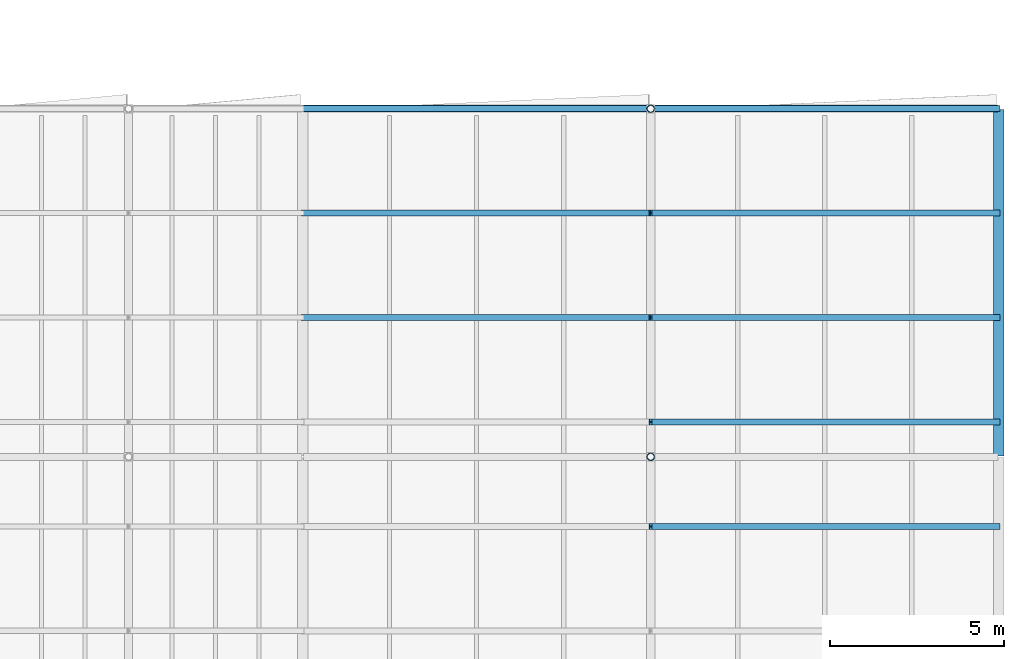
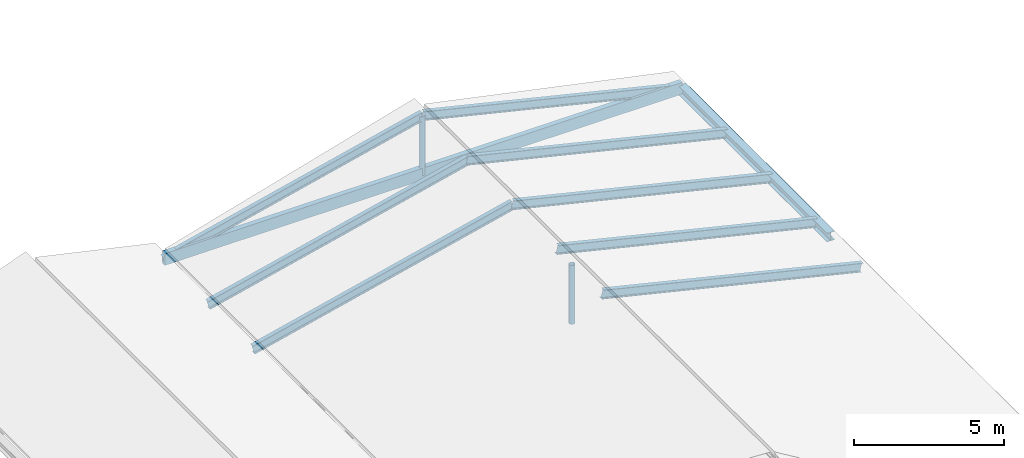
# One storey, part 70 of 90: 10 members, 2 beams.
"""IFC4 building model written with IfcOpenShell, lengths in metres."""

from ifc_helpers import new_model, si_unit, direction, frame, origin, origin_2d, place, context, subcontext, project, spatial, rectangle, hollow_circle, i_section, extrude, material, material_profile, profile_set, type_object, element, save


model = new_model("IFC4")

# Units and contexts
model_context = context("Model", 3, precision=1e-05, world=origin(), true_north=direction((0.0, 1.0)))
body_context = subcontext(model_context, "Body", "Model", "MODEL_VIEW")
ifc_project = project(units=[si_unit("LENGTHUNIT", "METRE"), si_unit("AREAUNIT", "SQUARE_METRE"), si_unit("VOLUMEUNIT", "CUBIC_METRE"), si_unit("PLANEANGLEUNIT", "RADIAN"), si_unit("MASSUNIT", "GRAM", prefix="KILO"), si_unit("THERMODYNAMICTEMPERATUREUNIT", "KELVIN"), si_unit("POWERUNIT", "WATT")], contexts=[model_context])

# Site, building, storey
site_placement = place(None, origin())
site = spatial("IfcSite", under=ifc_project, at=site_placement, CompositionType="ELEMENT")
building_placement = place(site_placement, origin())
building = spatial("IfcBuilding", under=site, at=building_placement, Name="Korenveer Ferry Terminal", CompositionType="ELEMENT")
storey_placement = place(building_placement, frame((0.0, 0.0, 22.199951171875)))
storey = spatial("IfcBuildingStorey", under=building, at=storey_placement, Name="RF", CompositionType="ELEMENT", Elevation=22.199951171875)

# Beam
ifc_material_1 = material(Name="Steel S355", Category="steel")
ifc_material_profile_1 = material_profile(ifc_material_1, i_section(OverallWidth=0.300048828125, OverallDepth=0.360107421875, WebThickness=0.012451171875, FlangeThickness=0.0224609375, FilletRadius=0.027099609375, at=origin_2d()), Name="HEB 360")
ifc_profile_set_1 = profile_set([ifc_material_profile_1], Name="Steel S355")
beam_type_1 = type_object("IfcBeamType", Name="STR-BM-HEB360", PredefinedType="BEAM", material=ifc_profile_set_1)
beam_1_placement = place(storey_placement, frame((176.0, 70.02001953125, -7.619873046875), z_axis=(0.0, 1.0, 0.0), x_axis=(-1.0, 0.0, 0.0)))
element("IfcBeam", 1, at=beam_1_placement, inside=storey, type_object=beam_type_1, Name="Wing eave beam EAST 149", PredefinedType="BEAM", context=body_context, shape_type="SweptSolid", body=[
    extrude(i_section(OverallWidth=0.300048828125, OverallDepth=0.360107421875, WebThickness=0.012451171875, FlangeThickness=0.0224609375, FilletRadius=0.027099609375, at=origin_2d()), origin(), (0.0, 0.0, 1.0), 9.9599609375),
])

# Members
ifc_material_profile_2 = material_profile(ifc_material_1, i_section(OverallWidth=0.169921875, OverallDepth=0.360107421875, WebThickness=0.008056640625, FlangeThickness=0.0126953125, FilletRadius=0.01806640625, at=origin_2d()), Name="IPE 360")
ifc_profile_set_2 = profile_set([ifc_material_profile_2], Name="Steel S355")
member_type_1 = type_object("IfcMemberType", Name="STR-RAF-IPE360", PredefinedType="RAFTER", material=ifc_profile_set_2)
for number, where, z_axis, x_axis, name in (
    (2, (166.0, 68.0, -5.219970703125), (0.972389456854, 0.0, -0.233363973654), (0.0, 1.0, 0.0), "Pitched roof rafter 34"),
    (3, (166.0, 71.0, -5.219970703125), (0.972389456854, 0.0, -0.233363973654), (0.0, 1.0, 0.0), "Pitched roof rafter 36"),
    (4, (156.0, 74.0, -7.619873046875), (0.972389456854, 0.0, 0.233363973654), (0.0, 1.0, 0.0), "Pitched roof rafter 37"),
    (5, (166.0, 74.0, -5.219970703125), (0.972389456854, 0.0, -0.233363973654), (0.0, 1.0, 0.0), "Pitched roof rafter 38"),
    (6, (156.0, 77.0, -7.619873046875), (0.972389456854, 0.0, 0.233363973654), (0.0, 1.0, 0.0), "Pitched roof rafter 39"),
    (7, (166.0, 77.0, -5.219970703125), (0.972389456854, 0.0, -0.233363973654), (0.0, 1.0, 0.0), "Pitched roof rafter 40"),
    (8, (156.0, 80.0, -7.619873046875), (0.972389456854, 0.0, 0.233363973654), (0.0, 1.0, 0.0), "Pitched roof rafter 41"),
    (9, (166.0, 80.0, -5.219970703125), (0.972389456854, 0.0, -0.233363973654), (0.0, 1.0, 0.0), "Pitched roof rafter 42"),
):
    element("IfcMember", number, at=place(storey_placement, frame(where, z_axis=z_axis, x_axis=x_axis)), inside=storey, type_object=member_type_1, Name=name, PredefinedType="RAFTER", context=body_context, shape_type="SweptSolid", body=[
        extrude(i_section(OverallWidth=0.169921875, OverallDepth=0.360107421875, WebThickness=0.008056640625, FlangeThickness=0.0126953125, FilletRadius=0.01806640625, at=origin_2d()), origin(), (0.0, 0.0, 1.0), 10.283935546875),
    ])

# Beam
ifc_material_2 = material(Name="Glulam GL28h", Category="wood")
ifc_material_profile_3 = material_profile(ifc_material_2, rectangle(XDim=0.199951171875, YDim=0.47998046875, at=origin_2d()), Name="GL 200x480")
ifc_profile_set_3 = profile_set([ifc_material_profile_3], Name="Glulam GL28h")
beam_type_2 = type_object("IfcBeamType", Name="STR-RFG-GL200", PredefinedType="USERDEFINED", material=ifc_profile_set_3)
beam_2_placement = place(storey_placement, frame((156.02001953125, 80.0, -7.56005859375), z_axis=(1.0, 0.0, 0.0), x_axis=(0.0, 1.0, 0.0)))
element("IfcBeam", 10, at=beam_2_placement, inside=storey, type_object=beam_type_2, Name="Wing roof collar tie EAST 157", ObjectType="ROOF GIRDER", PredefinedType="USERDEFINED", context=body_context, shape_type="SweptSolid", body=[
    extrude(rectangle(XDim=0.199951171875, YDim=0.47998046875, at=origin_2d()), origin(), (0.0, 0.0, 1.0), 19.9599609375),
])

# Members
ifc_material_profile_4 = material_profile(ifc_material_1, hollow_circle(Radius=0.109619140625, WallThickness=0.012451171875, at=origin_2d()), Name="CHS 219.1x12.5")
ifc_profile_set_4 = profile_set([ifc_material_profile_4], Name="Steel S355")
member_type_2 = type_object("IfcMemberType", Name="STR-STT-CHS219", PredefinedType="STRUT", material=ifc_profile_set_4)
for number, where, z_axis, x_axis, name in (
    (11, (166.0, 70.0, -7.619873046875), (0.0, 0.0, 1.0), (1.0, 0.0, 0.0), "Wing ridge strut STTWR-EAST-Y70"),
    (12, (166.0, 80.0, -7.619873046875), (0.0, 0.0, 1.0), (1.0, 0.0, 0.0), "Wing ridge strut STTWR-EAST-Y80"),
):
    element("IfcMember", number, at=place(storey_placement, frame(where, z_axis=z_axis, x_axis=x_axis)), inside=storey, type_object=member_type_2, Name=name, PredefinedType="STRUT", context=body_context, shape_type="SweptSolid", body=[
        extrude(hollow_circle(Radius=0.109619140625, WallThickness=0.012451171875, at=origin_2d()), origin(), (0.0, 0.0, 1.0), 2.39990234375),
    ])

save(model, "model.ifc")
